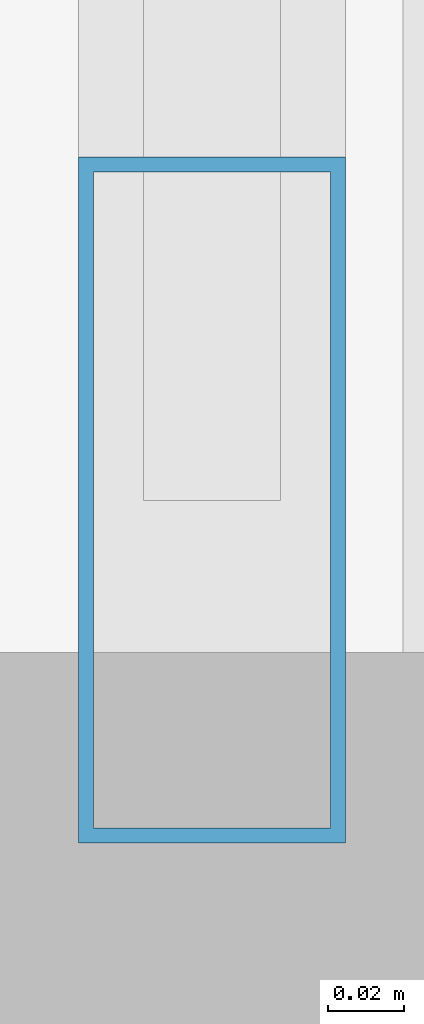
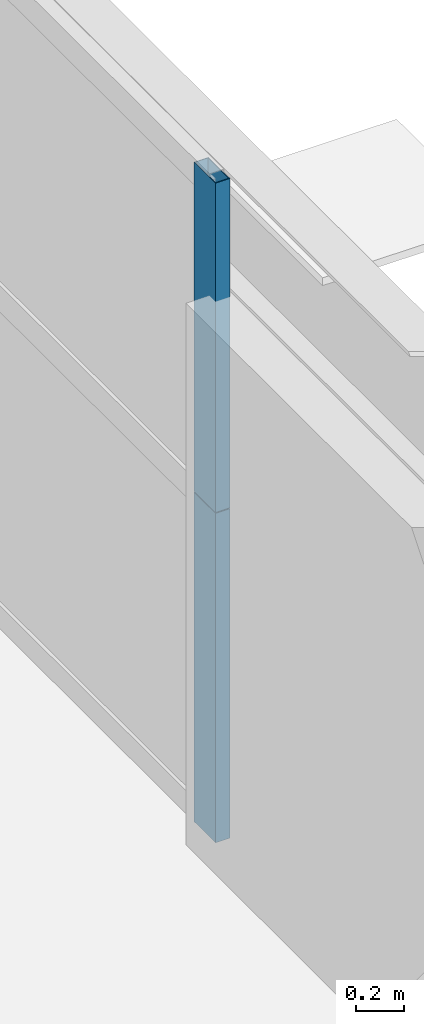
# One storey, part 17 of 43: 2 members, 1 element without a shape of its own.
"""IFC4 building model written with IfcOpenShell, lengths in metres."""

from ifc_helpers import new_model, si_unit, direction, frame, origin, origin_2d, place, context, subcontext, project, spatial, hollow_rectangle, extrude, source, transform, mapped, material, layer, layer_set, material_profile, profile_set, type_object, element, aggregate, save


model = new_model("IFC4")

# Units and contexts
model_context = context("Model", 3, precision=1e-05, world=origin(), true_north=direction((0.0, 1.0)))
body_context = subcontext(model_context, "Body", "Model", "MODEL_VIEW")
ifc_project = project(units=[si_unit("LENGTHUNIT", "METRE"), si_unit("AREAUNIT", "SQUARE_METRE"), si_unit("VOLUMEUNIT", "CUBIC_METRE"), si_unit("PLANEANGLEUNIT", "RADIAN"), si_unit("MASSUNIT", "GRAM", prefix="KILO"), si_unit("THERMODYNAMICTEMPERATUREUNIT", "KELVIN"), si_unit("POWERUNIT", "WATT")], contexts=[model_context])

# Site, building, storey
site_placement = place(None, origin())
site = spatial("IfcSite", under=ifc_project, at=site_placement, CompositionType="ELEMENT")
building_placement = place(site_placement, origin())
building = spatial("IfcBuilding", under=site, at=building_placement, Name="Yuzanri Waterfront Tower", CompositionType="ELEMENT")
storey_placement = place(building_placement, frame((0.0, 0.0, 78.39990234375)))
storey = spatial("IfcBuildingStorey", under=building, at=storey_placement, Name="L20", CompositionType="ELEMENT", Elevation=78.39990234375)

# Curtain wall, members
ifc_material_1 = material(Name="Anodized Architectural Bronze", Category="metal")
ifc_layer = layer(ifc_material_1, 0.159912109375)
ifc_layer_set = layer_set([ifc_layer], Name="Anodized Architectural Bronze")
curtain_wall_type = type_object("IfcCurtainWallType", Name="Anodized Bronze Hotel Lower-Tier Recessed Unitized Curtain Wall 8100", PredefinedType="NOTDEFINED", material=ifc_layer_set)
curtain_wall_placement = place(storey_placement, origin())
curtain_wall = element("IfcCurtainWall", 1, at=curtain_wall_placement, inside=storey, type_object=curtain_wall_type, Name="L20 Curtain Wall CW-L20-EL", PredefinedType="NOTDEFINED")
ifc_material_2 = material(Name="Anodized Architectural Bronze", Category="metal")
ifc_material_profile = material_profile(ifc_material_2, hollow_rectangle(XDim=0.070068359375, YDim=0.179931640625, WallThickness=0.00390625, at=origin_2d()), Name="CWM 70x180")
ifc_profile_set = profile_set([ifc_material_profile], Name="Anodized Architectural Bronze")
member_type = type_object("IfcMemberType", Name="Anodized Bronze Standard Curtain-Wall Mullion 70x180", PredefinedType="MULLION", material=ifc_profile_set)
shared_shape = source(origin(), body_context, "Body", "SweptSolid", [
    extrude(hollow_rectangle(XDim=0.070068359375, YDim=0.179931640625, WallThickness=0.00390625, at=origin_2d()), origin(), (0.0, 0.0, 1.0), 1.68798828125),
])
member_1_placement = place(storey_placement, frame((61.949951171875, 8.090087890625, 0.0), z_axis=(0.0, 0.0, 1.0), x_axis=(1.0, 0.0, 0.0)))
member_1 = element("IfcMember", 2, at=member_1_placement, type_object=member_type, Name="CW-L20-EL Lower Mullion 00", PredefinedType="MULLION", context=body_context, shape_type="MappedRepresentation", body=[
    mapped(shared_shape, transform((0.0, 0.0, 0.0), scale=1.0)),
])
member_2_placement = place(storey_placement, frame((61.949951171875, 8.090087890625, 1.692138671875), z_axis=(0.0, 0.0, 1.0), x_axis=(1.0, 0.0, 0.0)))
member_2 = element("IfcMember", 3, at=member_2_placement, type_object=member_type, Name="CW-L20-EL Upper Mullion 00", PredefinedType="MULLION", context=body_context, shape_type="MappedRepresentation", body=[
    mapped(shared_shape, transform((0.0, 0.0, 0.0), scale=1.0)),
])
aggregate(curtain_wall, [member_1, member_2])

save(model, "model.ifc")
